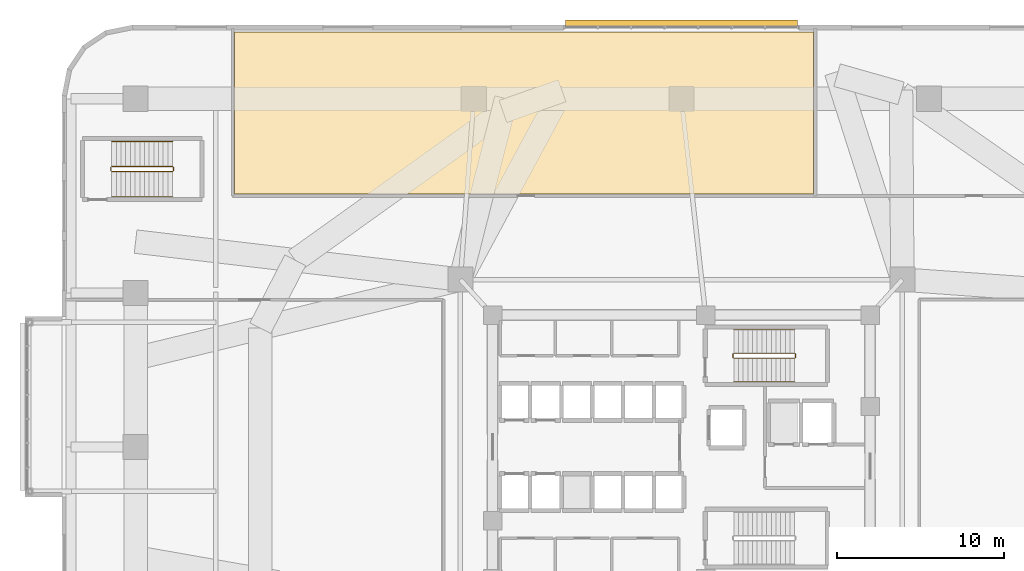
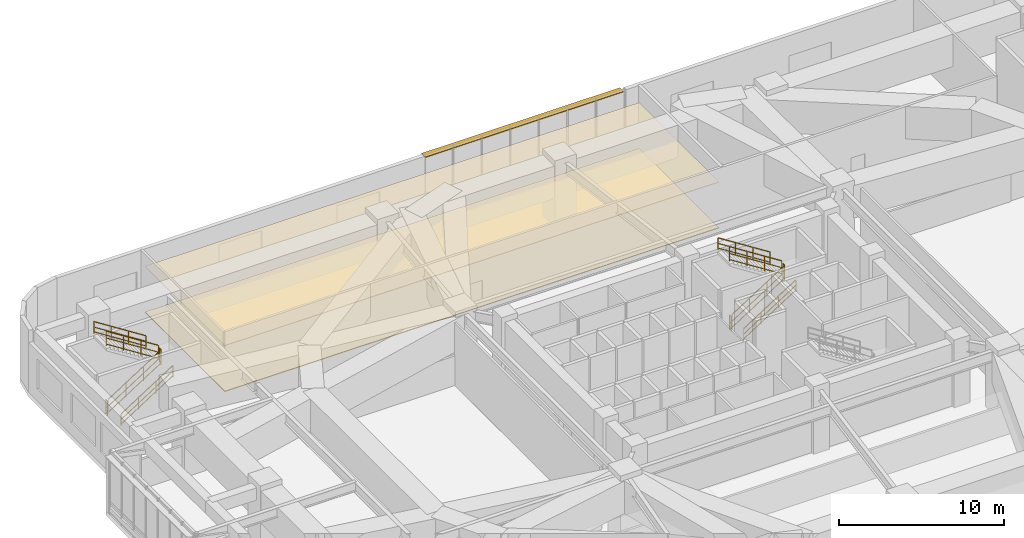
# One storey, part 24 of 26: 12 railings, 2 coverings, 1 shading device.
"""IFC4 building model written with IfcOpenShell, lengths in metres."""

from ifc_helpers import new_model, si_unit, direction, frame, origin, origin_2d, place, context, subcontext, project, spatial, polyline, rectangle, outline, extrude, material, layer, layer_set, type_object, element, save


model = new_model("IFC4")

# Units and contexts
model_context = context("Model", 3, precision=1e-05, world=origin(), true_north=direction((0.0, 1.0)))
body_context = subcontext(model_context, "Body", "Model", "MODEL_VIEW")
ifc_project = project(units=[si_unit("LENGTHUNIT", "METRE"), si_unit("AREAUNIT", "SQUARE_METRE"), si_unit("VOLUMEUNIT", "CUBIC_METRE"), si_unit("PLANEANGLEUNIT", "RADIAN"), si_unit("MASSUNIT", "GRAM", prefix="KILO")], contexts=[model_context])

# Site, building, storey
site_placement = place(None, origin())
site = spatial("IfcSite", under=ifc_project, at=site_placement, CompositionType="ELEMENT")
building_placement = place(site_placement, origin())
building = spatial("IfcBuilding", under=site, at=building_placement, Name="Zulverin Broadcast Headquarters", CompositionType="ELEMENT")
storey_placement = place(building_placement, frame((0.0, 0.0, 20.0)))
storey = spatial("IfcBuildingStorey", under=building, at=storey_placement, Name="L04", CompositionType="ELEMENT", Elevation=20.0)

# Coverings
ifc_material_1 = material(Name="Perforated pale-metal acoustic baffle ceiling", Category="aluminium")
ifc_layer_1 = layer(ifc_material_1, 0.0400390625, Name="Perforated pale-metal acoustic baffle ceiling", Category="aluminium")
ifc_layer_set_1 = layer_set([ifc_layer_1], Name="Perforated pale-metal acoustic baffle ceiling")
covering_type_1 = type_object("IfcCoveringType", Name="COV-CEIL-ACOU", PredefinedType="CEILING", material=ifc_layer_set_1)
covering_1_placement = place(storey_placement, frame((0.0, 0.0, 3.389892578125)))
element("IfcCovering", 1, at=covering_1_placement, inside=storey, type_object=covering_type_1, Name="L04 Acoustic Baffle Ceiling 03", PredefinedType="CEILING", context=body_context, shape_type="SweptSolid", body=[
    extrude(outline(polyline([(44.8798828125, 50.0), (10.320068359375, 50.0), (10.320068359375, 40.320068359375), (44.8798828125, 40.320068359375), (44.8798828125, 50.0)])), origin(), (0.0, 0.0, 1.0), 0.0400390625),
])
ifc_material_2 = material(Name="Anti-static broadcast raised access flooring", Category="stone")
ifc_layer_2 = layer(ifc_material_2, 0.050048828125, Name="Anti-static broadcast raised access flooring", Category="stone")
ifc_layer_set_2 = layer_set([ifc_layer_2], Name="Anti-static broadcast raised access flooring")
covering_type_2 = type_object("IfcCoveringType", Name="COV-FLR-RAISED", PredefinedType="FLOORING", material=ifc_layer_set_2)
covering_2_placement = place(storey_placement, origin())
element("IfcCovering", 2, at=covering_2_placement, inside=storey, type_object=covering_type_2, Name="L04 Broadcast Raised Access Flooring 01", PredefinedType="FLOORING", context=body_context, shape_type="SweptSolid", body=[
    extrude(outline(polyline([(44.8798828125, 50.0), (10.320068359375, 50.0), (10.320068359375, 40.320068359375), (44.8798828125, 40.320068359375), (44.8798828125, 50.0)])), origin(), (0.0, 0.0, 1.0), 0.050048828125),
])

# Railings
ifc_material_3 = material(Name="Painted galvanized steel tubular guardrail S355JR", Category="steel")
railing_type_1 = type_object("IfcRailingType", Name="RL-ST-GUARD", PredefinedType="GUARDRAIL", material=ifc_material_3)
railing_1_placement = place(storey_placement, frame((40.1298828125, 30.5, 0.178466796875)))
element("IfcRailing", 3, at=railing_1_placement, inside=storey, type_object=railing_type_1, Name="L04 ST-1 stair guard 1", PredefinedType="GUARDRAIL", context=body_context, shape_type="SweptSolid", body=[
    extrude(rectangle(XDim=0.048095703125, YDim=0.048095703125, at=origin_2d()), frame((0.0, 0.0, 1.076171875), z_axis=(0.843127859045, 0.0, 0.537713132908), x_axis=(0.0, 1.0, 0.0)), (0.0, 0.0, 1.0), 4.3173828125),
    extrude(rectangle(XDim=0.0419921875, YDim=0.0419921875, at=origin_2d()), frame((0.0, 0.0, 0.572021484375), z_axis=(0.843127859045, 0.0, 0.537713132908), x_axis=(0.0, 1.0, 0.0)), (0.0, 0.0, 1.0), 4.3173828125),
    extrude(rectangle(XDim=0.0419921875, YDim=0.0419921875, at=origin_2d()), frame((0.0, 0.0, 0.1201171875), z_axis=(0.843127859045, 0.0, 0.537713132908), x_axis=(0.0, 1.0, 0.0)), (0.0, 0.0, 1.0), 4.3173828125),
    extrude(rectangle(XDim=0.0419921875, YDim=0.0419921875, at=origin_2d()), origin(), (0.0, 0.0, 1.0), 1.052001953125),
    extrude(rectangle(XDim=0.0419921875, YDim=0.0419921875, at=origin_2d()), frame((1.21337890625, 0.0, 0.77392578125)), (0.0, 0.0, 1.0), 1.052001953125),
    extrude(rectangle(XDim=0.0419921875, YDim=0.0419921875, at=origin_2d()), frame((2.4267578125, 0.0, 1.547607421875)), (0.0, 0.0, 1.0), 1.052001953125),
    extrude(rectangle(XDim=0.0419921875, YDim=0.0419921875, at=origin_2d()), frame((3.64013671875, 0.0, 2.321533203125)), (0.0, 0.0, 1.0), 1.052001953125),
])
railing_2_placement = place(storey_placement, frame((43.820068359375, 30.550048828125, 2.5)))
element("IfcRailing", 4, at=railing_2_placement, inside=storey, type_object=railing_type_1, Name="L04 ST-1 stair guard 2", PredefinedType="GUARDRAIL", context=body_context, shape_type="SweptSolid", body=[
    extrude(rectangle(XDim=0.048095703125, YDim=0.048095703125, at=origin_2d()), frame((0.0, 0.0, 1.076171875), z_axis=(0.0, 1.0, 0.0), x_axis=(-1.0, 0.0, 0.0)), (0.0, 0.0, 1.0), 0.199951171875),
    extrude(rectangle(XDim=0.0419921875, YDim=0.0419921875, at=origin_2d()), frame((0.0, 0.0, 0.572021484375), z_axis=(0.0, 1.0, 0.0), x_axis=(-1.0, 0.0, 0.0)), (0.0, 0.0, 1.0), 0.199951171875),
    extrude(rectangle(XDim=0.0419921875, YDim=0.0419921875, at=origin_2d()), frame((0.0, 0.0, 0.1201171875), z_axis=(0.0, 1.0, 0.0), x_axis=(-1.0, 0.0, 0.0)), (0.0, 0.0, 1.0), 0.199951171875),
    extrude(rectangle(XDim=0.0419921875, YDim=0.0419921875, at=origin_2d()), origin(), (0.0, 0.0, 1.0), 1.052001953125),
    extrude(rectangle(XDim=0.0419921875, YDim=0.0419921875, at=origin_2d()), frame((0.0, 0.199951171875, 0.0)), (0.0, 0.0, 1.0), 1.052001953125),
])
railing_3_placement = place(storey_placement, frame((43.77001953125, 30.800048828125, 2.678466796875)))
element("IfcRailing", 5, at=railing_3_placement, inside=storey, type_object=railing_type_1, Name="L04 ST-1 stair guard 3", PredefinedType="GUARDRAIL", context=body_context, shape_type="SweptSolid", body=[
    extrude(rectangle(XDim=0.048095703125, YDim=0.048095703125, at=origin_2d()), frame((0.0, 0.0, 1.076171875), z_axis=(-0.843127859045, 0.0, 0.537713132908), x_axis=(0.0, -1.0, 0.0)), (0.0, 0.0, 1.0), 4.3173828125),
    extrude(rectangle(XDim=0.0419921875, YDim=0.0419921875, at=origin_2d()), frame((0.0, 0.0, 0.572021484375), z_axis=(-0.843127859045, 0.0, 0.537713132908), x_axis=(0.0, -1.0, 0.0)), (0.0, 0.0, 1.0), 4.3173828125),
    extrude(rectangle(XDim=0.0419921875, YDim=0.0419921875, at=origin_2d()), frame((0.0, 0.0, 0.1201171875), z_axis=(-0.843127859045, 0.0, 0.537713132908), x_axis=(0.0, -1.0, 0.0)), (0.0, 0.0, 1.0), 4.3173828125),
    extrude(rectangle(XDim=0.0419921875, YDim=0.0419921875, at=origin_2d()), origin(), (0.0, 0.0, 1.0), 1.052001953125),
    extrude(rectangle(XDim=0.0419921875, YDim=0.0419921875, at=origin_2d()), frame((-1.21337890625, 0.0, 0.77392578125)), (0.0, 0.0, 1.0), 1.052001953125),
    extrude(rectangle(XDim=0.0419921875, YDim=0.0419921875, at=origin_2d()), frame((-2.4267578125, 0.0, 1.547607421875)), (0.0, 0.0, 1.0), 1.052001953125),
    extrude(rectangle(XDim=0.0419921875, YDim=0.0419921875, at=origin_2d()), frame((-3.64013671875, 0.0, 2.321533203125)), (0.0, 0.0, 1.0), 1.052001953125),
])
railing_4_placement = place(storey_placement, frame((40.080078125, 30.550048828125, 0.0)))
element("IfcRailing", 6, at=railing_4_placement, inside=storey, type_object=railing_type_1, Name="L04 ST-1 stair guard 4", PredefinedType="GUARDRAIL", context=body_context, shape_type="SweptSolid", body=[
    extrude(rectangle(XDim=0.048095703125, YDim=0.048095703125, at=origin_2d()), frame((0.0, 0.0, 1.076171875), z_axis=(0.0, 1.0, 0.0), x_axis=(-1.0, 0.0, 0.0)), (0.0, 0.0, 1.0), 0.199951171875),
    extrude(rectangle(XDim=0.0419921875, YDim=0.0419921875, at=origin_2d()), frame((0.0, 0.0, 0.572021484375), z_axis=(0.0, 1.0, 0.0), x_axis=(-1.0, 0.0, 0.0)), (0.0, 0.0, 1.0), 0.199951171875),
    extrude(rectangle(XDim=0.0419921875, YDim=0.0419921875, at=origin_2d()), frame((0.0, 0.0, 0.1201171875), z_axis=(0.0, 1.0, 0.0), x_axis=(-1.0, 0.0, 0.0)), (0.0, 0.0, 1.0), 0.199951171875),
    extrude(rectangle(XDim=0.0419921875, YDim=0.0419921875, at=origin_2d()), origin(), (0.0, 0.0, 1.0), 1.052001953125),
    extrude(rectangle(XDim=0.0419921875, YDim=0.0419921875, at=origin_2d()), frame((0.0, 0.199951171875, 0.0)), (0.0, 0.0, 1.0), 1.052001953125),
])
railing_5_placement = place(storey_placement, frame((2.969970703125, 41.64990234375, 0.178466796875)))
element("IfcRailing", 7, at=railing_5_placement, inside=storey, type_object=railing_type_1, Name="L04 ST-3 stair guard 1", PredefinedType="GUARDRAIL", context=body_context, shape_type="SweptSolid", body=[
    extrude(rectangle(XDim=0.048095703125, YDim=0.048095703125, at=origin_2d()), frame((0.0, 0.0, 1.076171875), z_axis=(0.843127859045, 0.0, 0.537713132908), x_axis=(0.0, 1.0, 0.0)), (0.0, 0.0, 1.0), 4.3173828125),
    extrude(rectangle(XDim=0.0419921875, YDim=0.0419921875, at=origin_2d()), frame((0.0, 0.0, 0.572021484375), z_axis=(0.843127859045, 0.0, 0.537713132908), x_axis=(0.0, 1.0, 0.0)), (0.0, 0.0, 1.0), 4.3173828125),
    extrude(rectangle(XDim=0.0419921875, YDim=0.0419921875, at=origin_2d()), frame((0.0, 0.0, 0.1201171875), z_axis=(0.843127859045, 0.0, 0.537713132908), x_axis=(0.0, 1.0, 0.0)), (0.0, 0.0, 1.0), 4.3173828125),
    extrude(rectangle(XDim=0.0419921875, YDim=0.0419921875, at=origin_2d()), origin(), (0.0, 0.0, 1.0), 1.052001953125),
    extrude(rectangle(XDim=0.0419921875, YDim=0.0419921875, at=origin_2d()), frame((1.21337890625, 0.0, 0.77392578125)), (0.0, 0.0, 1.0), 1.052001953125),
    extrude(rectangle(XDim=0.0419921875, YDim=0.0419921875, at=origin_2d()), frame((2.4267578125, 0.0, 1.547607421875)), (0.0, 0.0, 1.0), 1.052001953125),
    extrude(rectangle(XDim=0.0419921875, YDim=0.0419921875, at=origin_2d()), frame((3.64013671875, 0.0, 2.321533203125)), (0.0, 0.0, 1.0), 1.052001953125),
])
railing_6_placement = place(storey_placement, frame((6.659912109375, 41.699951171875, 2.5)))
element("IfcRailing", 8, at=railing_6_placement, inside=storey, type_object=railing_type_1, Name="L04 ST-3 stair guard 2", PredefinedType="GUARDRAIL", context=body_context, shape_type="SweptSolid", body=[
    extrude(rectangle(XDim=0.048095703125, YDim=0.048095703125, at=origin_2d()), frame((0.0, 0.0, 1.076171875), z_axis=(0.0, 1.0, 0.0), x_axis=(-1.0, 0.0, 0.0)), (0.0, 0.0, 1.0), 0.199951171875),
    extrude(rectangle(XDim=0.0419921875, YDim=0.0419921875, at=origin_2d()), frame((0.0, 0.0, 0.572021484375), z_axis=(0.0, 1.0, 0.0), x_axis=(-1.0, 0.0, 0.0)), (0.0, 0.0, 1.0), 0.199951171875),
    extrude(rectangle(XDim=0.0419921875, YDim=0.0419921875, at=origin_2d()), frame((0.0, 0.0, 0.1201171875), z_axis=(0.0, 1.0, 0.0), x_axis=(-1.0, 0.0, 0.0)), (0.0, 0.0, 1.0), 0.199951171875),
    extrude(rectangle(XDim=0.0419921875, YDim=0.0419921875, at=origin_2d()), origin(), (0.0, 0.0, 1.0), 1.052001953125),
    extrude(rectangle(XDim=0.0419921875, YDim=0.0419921875, at=origin_2d()), frame((0.0, 0.199951171875, 0.0)), (0.0, 0.0, 1.0), 1.052001953125),
])
railing_7_placement = place(storey_placement, frame((6.610107421875, 41.949951171875, 2.678466796875)))
element("IfcRailing", 9, at=railing_7_placement, inside=storey, type_object=railing_type_1, Name="L04 ST-3 stair guard 3", PredefinedType="GUARDRAIL", context=body_context, shape_type="SweptSolid", body=[
    extrude(rectangle(XDim=0.048095703125, YDim=0.048095703125, at=origin_2d()), frame((0.0, 0.0, 1.076171875), z_axis=(-0.843127859045, 0.0, 0.537713132908), x_axis=(0.0, -1.0, 0.0)), (0.0, 0.0, 1.0), 4.3173828125),
    extrude(rectangle(XDim=0.0419921875, YDim=0.0419921875, at=origin_2d()), frame((0.0, 0.0, 0.572021484375), z_axis=(-0.843127859045, 0.0, 0.537713132908), x_axis=(0.0, -1.0, 0.0)), (0.0, 0.0, 1.0), 4.3173828125),
    extrude(rectangle(XDim=0.0419921875, YDim=0.0419921875, at=origin_2d()), frame((0.0, 0.0, 0.1201171875), z_axis=(-0.843127859045, 0.0, 0.537713132908), x_axis=(0.0, -1.0, 0.0)), (0.0, 0.0, 1.0), 4.3173828125),
    extrude(rectangle(XDim=0.0419921875, YDim=0.0419921875, at=origin_2d()), origin(), (0.0, 0.0, 1.0), 1.052001953125),
    extrude(rectangle(XDim=0.0419921875, YDim=0.0419921875, at=origin_2d()), frame((-1.21337890625, 0.0, 0.77392578125)), (0.0, 0.0, 1.0), 1.052001953125),
    extrude(rectangle(XDim=0.0419921875, YDim=0.0419921875, at=origin_2d()), frame((-2.4267578125, 0.0, 1.547607421875)), (0.0, 0.0, 1.0), 1.052001953125),
    extrude(rectangle(XDim=0.0419921875, YDim=0.0419921875, at=origin_2d()), frame((-3.64013671875, 0.0, 2.321533203125)), (0.0, 0.0, 1.0), 1.052001953125),
])
railing_8_placement = place(storey_placement, frame((2.919921875, 41.699951171875, 0.0)))
element("IfcRailing", 10, at=railing_8_placement, inside=storey, type_object=railing_type_1, Name="L04 ST-3 stair guard 4", PredefinedType="GUARDRAIL", context=body_context, shape_type="SweptSolid", body=[
    extrude(rectangle(XDim=0.048095703125, YDim=0.048095703125, at=origin_2d()), frame((0.0, 0.0, 1.076171875), z_axis=(0.0, 1.0, 0.0), x_axis=(-1.0, 0.0, 0.0)), (0.0, 0.0, 1.0), 0.199951171875),
    extrude(rectangle(XDim=0.0419921875, YDim=0.0419921875, at=origin_2d()), frame((0.0, 0.0, 0.572021484375), z_axis=(0.0, 1.0, 0.0), x_axis=(-1.0, 0.0, 0.0)), (0.0, 0.0, 1.0), 0.199951171875),
    extrude(rectangle(XDim=0.0419921875, YDim=0.0419921875, at=origin_2d()), frame((0.0, 0.0, 0.1201171875), z_axis=(0.0, 1.0, 0.0), x_axis=(-1.0, 0.0, 0.0)), (0.0, 0.0, 1.0), 0.199951171875),
    extrude(rectangle(XDim=0.0419921875, YDim=0.0419921875, at=origin_2d()), origin(), (0.0, 0.0, 1.0), 1.052001953125),
    extrude(rectangle(XDim=0.0419921875, YDim=0.0419921875, at=origin_2d()), frame((0.0, 0.199951171875, 0.0)), (0.0, 0.0, 1.0), 1.052001953125),
])
ifc_material_4 = material(Name="Brushed stainless steel 48 mm handrail", Category="steel")
railing_type_2 = type_object("IfcRailingType", Name="RL-ST-HAND", PredefinedType="HANDRAIL", material=ifc_material_4)
railing_9_placement = place(storey_placement, frame((40.1298828125, 29.10009765625, 0.178466796875)))
element("IfcRailing", 11, at=railing_9_placement, inside=storey, type_object=railing_type_2, Name="L04 ST-1 stair handrail 1", PredefinedType="HANDRAIL", context=body_context, shape_type="SweptSolid", body=[
    extrude(rectangle(XDim=0.048095703125, YDim=0.048095703125, at=origin_2d()), frame((0.0, 0.0, 0.8759765625), z_axis=(0.843127859045, 0.0, 0.537713132908), x_axis=(0.0, 1.0, 0.0)), (0.0, 0.0, 1.0), 4.3173828125),
    extrude(rectangle(XDim=0.0419921875, YDim=0.0419921875, at=origin_2d()), frame((0.0, 0.0, 0.468017578125), z_axis=(0.843127859045, 0.0, 0.537713132908), x_axis=(0.0, 1.0, 0.0)), (0.0, 0.0, 1.0), 4.3173828125),
    extrude(rectangle(XDim=0.0419921875, YDim=0.0419921875, at=origin_2d()), frame((0.0, 0.0, 0.1201171875), z_axis=(0.843127859045, 0.0, 0.537713132908), x_axis=(0.0, 1.0, 0.0)), (0.0, 0.0, 1.0), 4.3173828125),
    extrude(rectangle(XDim=0.0419921875, YDim=0.0419921875, at=origin_2d()), origin(), (0.0, 0.0, 1.0), 0.851806640625),
    extrude(rectangle(XDim=0.0419921875, YDim=0.0419921875, at=origin_2d()), frame((1.21337890625, 0.0, 0.77392578125)), (0.0, 0.0, 1.0), 0.851806640625),
    extrude(rectangle(XDim=0.0419921875, YDim=0.0419921875, at=origin_2d()), frame((2.4267578125, 0.0, 1.547607421875)), (0.0, 0.0, 1.0), 0.851806640625),
    extrude(rectangle(XDim=0.0419921875, YDim=0.0419921875, at=origin_2d()), frame((3.64013671875, 0.0, 2.321533203125)), (0.0, 0.0, 1.0), 0.851806640625),
])
railing_10_placement = place(storey_placement, frame((43.77001953125, 32.199951171875, 2.678466796875)))
element("IfcRailing", 12, at=railing_10_placement, inside=storey, type_object=railing_type_2, Name="L04 ST-1 stair handrail 2", PredefinedType="HANDRAIL", context=body_context, shape_type="SweptSolid", body=[
    extrude(rectangle(XDim=0.048095703125, YDim=0.048095703125, at=origin_2d()), frame((0.0, 0.0, 0.8759765625), z_axis=(-0.843127859045, 0.0, 0.537713132908), x_axis=(0.0, -1.0, 0.0)), (0.0, 0.0, 1.0), 4.3173828125),
    extrude(rectangle(XDim=0.0419921875, YDim=0.0419921875, at=origin_2d()), frame((0.0, 0.0, 0.468017578125), z_axis=(-0.843127859045, 0.0, 0.537713132908), x_axis=(0.0, -1.0, 0.0)), (0.0, 0.0, 1.0), 4.3173828125),
    extrude(rectangle(XDim=0.0419921875, YDim=0.0419921875, at=origin_2d()), frame((0.0, 0.0, 0.1201171875), z_axis=(-0.843127859045, 0.0, 0.537713132908), x_axis=(0.0, -1.0, 0.0)), (0.0, 0.0, 1.0), 4.3173828125),
    extrude(rectangle(XDim=0.0419921875, YDim=0.0419921875, at=origin_2d()), origin(), (0.0, 0.0, 1.0), 0.851806640625),
    extrude(rectangle(XDim=0.0419921875, YDim=0.0419921875, at=origin_2d()), frame((-1.21337890625, 0.0, 0.77392578125)), (0.0, 0.0, 1.0), 0.851806640625),
    extrude(rectangle(XDim=0.0419921875, YDim=0.0419921875, at=origin_2d()), frame((-2.4267578125, 0.0, 1.547607421875)), (0.0, 0.0, 1.0), 0.851806640625),
    extrude(rectangle(XDim=0.0419921875, YDim=0.0419921875, at=origin_2d()), frame((-3.64013671875, 0.0, 2.321533203125)), (0.0, 0.0, 1.0), 0.851806640625),
])
railing_11_placement = place(storey_placement, frame((2.969970703125, 40.14990234375, 0.178466796875)))
element("IfcRailing", 13, at=railing_11_placement, inside=storey, type_object=railing_type_2, Name="L04 ST-3 stair handrail 1", PredefinedType="HANDRAIL", context=body_context, shape_type="SweptSolid", body=[
    extrude(rectangle(XDim=0.048095703125, YDim=0.048095703125, at=origin_2d()), frame((0.0, 0.0, 0.8759765625), z_axis=(0.843127859045, 0.0, 0.537713132908), x_axis=(0.0, 1.0, 0.0)), (0.0, 0.0, 1.0), 4.3173828125),
    extrude(rectangle(XDim=0.0419921875, YDim=0.0419921875, at=origin_2d()), frame((0.0, 0.0, 0.468017578125), z_axis=(0.843127859045, 0.0, 0.537713132908), x_axis=(0.0, 1.0, 0.0)), (0.0, 0.0, 1.0), 4.3173828125),
    extrude(rectangle(XDim=0.0419921875, YDim=0.0419921875, at=origin_2d()), frame((0.0, 0.0, 0.1201171875), z_axis=(0.843127859045, 0.0, 0.537713132908), x_axis=(0.0, 1.0, 0.0)), (0.0, 0.0, 1.0), 4.3173828125),
    extrude(rectangle(XDim=0.0419921875, YDim=0.0419921875, at=origin_2d()), origin(), (0.0, 0.0, 1.0), 0.851806640625),
    extrude(rectangle(XDim=0.0419921875, YDim=0.0419921875, at=origin_2d()), frame((1.21337890625, 0.0, 0.77392578125)), (0.0, 0.0, 1.0), 0.851806640625),
    extrude(rectangle(XDim=0.0419921875, YDim=0.0419921875, at=origin_2d()), frame((2.4267578125, 0.0, 1.547607421875)), (0.0, 0.0, 1.0), 0.851806640625),
    extrude(rectangle(XDim=0.0419921875, YDim=0.0419921875, at=origin_2d()), frame((3.64013671875, 0.0, 2.321533203125)), (0.0, 0.0, 1.0), 0.851806640625),
])
railing_12_placement = place(storey_placement, frame((6.610107421875, 43.449951171875, 2.678466796875)))
element("IfcRailing", 14, at=railing_12_placement, inside=storey, type_object=railing_type_2, Name="L04 ST-3 stair handrail 2", PredefinedType="HANDRAIL", context=body_context, shape_type="SweptSolid", body=[
    extrude(rectangle(XDim=0.048095703125, YDim=0.048095703125, at=origin_2d()), frame((0.0, 0.0, 0.8759765625), z_axis=(-0.843127859045, 0.0, 0.537713132908), x_axis=(0.0, -1.0, 0.0)), (0.0, 0.0, 1.0), 4.3173828125),
    extrude(rectangle(XDim=0.0419921875, YDim=0.0419921875, at=origin_2d()), frame((0.0, 0.0, 0.468017578125), z_axis=(-0.843127859045, 0.0, 0.537713132908), x_axis=(0.0, -1.0, 0.0)), (0.0, 0.0, 1.0), 4.3173828125),
    extrude(rectangle(XDim=0.0419921875, YDim=0.0419921875, at=origin_2d()), frame((0.0, 0.0, 0.1201171875), z_axis=(-0.843127859045, 0.0, 0.537713132908), x_axis=(0.0, -1.0, 0.0)), (0.0, 0.0, 1.0), 4.3173828125),
    extrude(rectangle(XDim=0.0419921875, YDim=0.0419921875, at=origin_2d()), origin(), (0.0, 0.0, 1.0), 0.851806640625),
    extrude(rectangle(XDim=0.0419921875, YDim=0.0419921875, at=origin_2d()), frame((-1.21337890625, 0.0, 0.77392578125)), (0.0, 0.0, 1.0), 0.851806640625),
    extrude(rectangle(XDim=0.0419921875, YDim=0.0419921875, at=origin_2d()), frame((-2.4267578125, 0.0, 1.547607421875)), (0.0, 0.0, 1.0), 0.851806640625),
    extrude(rectangle(XDim=0.0419921875, YDim=0.0419921875, at=origin_2d()), frame((-3.64013671875, 0.0, 2.321533203125)), (0.0, 0.0, 1.0), 0.851806640625),
])

# Shading device
ifc_material_5 = material(Name="Anodized pale-metal aluminium sunshade", Category="aluminium")
ifc_layer_3 = layer(ifc_material_5, 0.06005859375, Name="Anodized pale-metal aluminium sunshade", Category="aluminium")
ifc_layer_set_3 = layer_set([ifc_layer_3], Name="Anodized pale-metal aluminium sunshade")
shading_device_type = type_object("IfcShadingDeviceType", Name="SS-01_PALE_METAL_ALUMINIUM_SUNSHADE", PredefinedType="USERDEFINED", material=ifc_layer_set_3)
shading_device_placement = place(storey_placement, frame((37.0, 50.47998046875, 4.369873046875), z_axis=(0.0, 0.0, 1.0), x_axis=(-1.0, 0.0, 0.0)))
element("IfcShadingDevice", 15, at=shading_device_placement, inside=storey, type_object=shading_device_type, Name="L04 Pale-Metal Horizontal Sunshade Band CW-L04-N2", ObjectType="SUNSHADE", PredefinedType="USERDEFINED", context=body_context, shape_type="SweptSolid", body=[
    extrude(rectangle(XDim=13.860107421875, YDim=0.449951171875, at=origin_2d()), origin(), (0.0, 0.0, 1.0), 0.06005859375),
])

save(model, "model.ifc")
